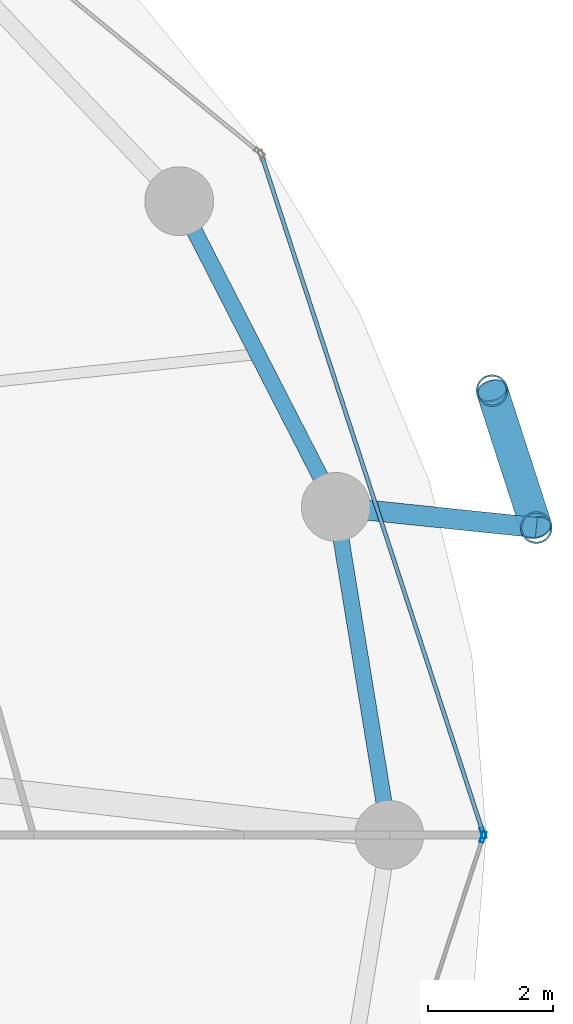
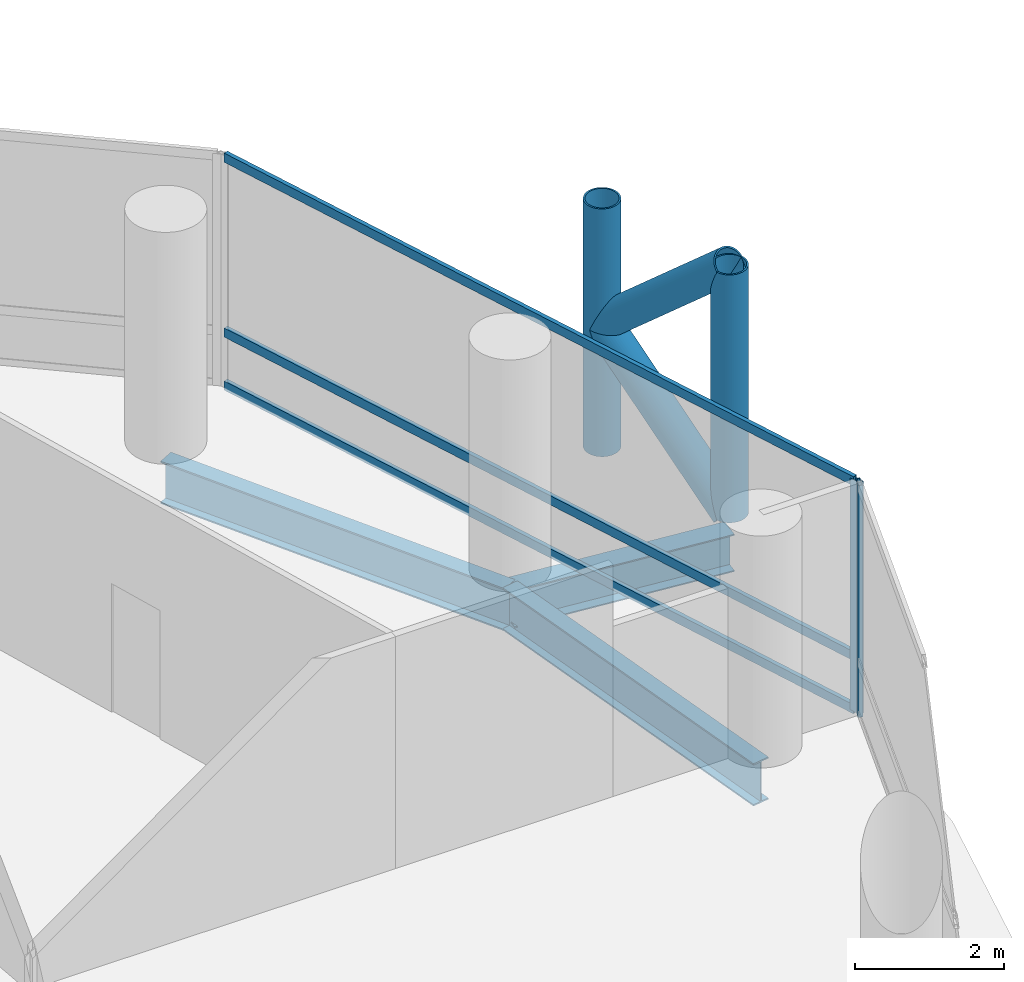
# One storey, part 12 of 25: 9 members, 3 beams, 2 elements without a shape of their own.
"""IFC4 building model written with IfcOpenShell, lengths in metres."""

from ifc_helpers import new_model, si_unit, direction, frame, origin, origin_2d, place, context, subcontext, project, spatial, hollow_rectangle, hollow_circle, i_section, extrude, material, layer, layer_set, material_profile, profile_set, type_object, element, aggregate, save


model = new_model("IFC4")

# Units and contexts
model_context = context("Model", 3, precision=1e-05, world=origin(), true_north=direction((0.0, 1.0)))
body_context = subcontext(model_context, "Body", "Model", "MODEL_VIEW")
ifc_project = project(units=[si_unit("LENGTHUNIT", "METRE"), si_unit("AREAUNIT", "SQUARE_METRE"), si_unit("VOLUMEUNIT", "CUBIC_METRE"), si_unit("PLANEANGLEUNIT", "RADIAN"), si_unit("MASSUNIT", "GRAM", prefix="KILO")], contexts=[model_context])

# Site, building, storey
site_placement = place(None, origin())
site = spatial("IfcSite", under=ifc_project, at=site_placement, CompositionType="ELEMENT")
building_placement = place(site_placement, origin())
building = spatial("IfcBuilding", under=site, at=building_placement, Name="Nuhasar Tower", CompositionType="ELEMENT")
storey_placement = place(building_placement, frame((0.0, 0.0, 45.300048828125)))
storey = spatial("IfcBuildingStorey", under=building, at=storey_placement, Name="L10", CompositionType="ELEMENT", Elevation=45.300048828125)

# Beams
ifc_material_1 = material(Name="Steel S355", Category="steel")
ifc_material_profile_1 = material_profile(ifc_material_1, i_section(OverallWidth=0.256103515625, OverallDepth=0.693115234375, WebThickness=0.014404296875, FlangeThickness=0.023681640625, at=origin_2d()), Name="W27X114")
ifc_profile_set_1 = profile_set([ifc_material_profile_1], Name="Steel S355")
beam_type_1 = type_object("IfcBeamType", Name="BM-RING-W27X114", PredefinedType="SPANDREL", material=ifc_profile_set_1)
beam_1_placement = place(storey_placement, frame((64.050048828125, 26.800048828125, -0.60595703125), z_axis=(-0.160826635486, 0.986982671235, 0.0), x_axis=(-0.986982671235, -0.160826635486, 0.0)))
element("IfcBeam", 1, at=beam_1_placement, inside=storey, type_object=beam_type_1, Name="L10 Perimeter Ring Spandrel 01", PredefinedType="SPANDREL", context=body_context, shape_type="SweptSolid", body=[
    extrude(i_section(OverallWidth=0.256103515625, OverallDepth=0.693115234375, WebThickness=0.014404296875, FlangeThickness=0.023681640625, at=origin_2d()), origin(), (0.0, 0.0, 1.0), 5.31005859375),
])
beam_2_placement = place(storey_placement, frame((63.196044921875, 32.041015625, -0.60595703125), z_axis=(-0.455930023905, 0.890015625314, 0.0), x_axis=(-0.890015625314, -0.455930023905, 0.0)))
element("IfcBeam", 2, at=beam_2_placement, inside=storey, type_object=beam_type_1, Name="L10 Perimeter Ring Spandrel 02", PredefinedType="SPANDREL", context=body_context, shape_type="SweptSolid", body=[
    extrude(i_section(OverallWidth=0.256103515625, OverallDepth=0.693115234375, WebThickness=0.014404296875, FlangeThickness=0.023681640625, at=origin_2d()), origin(), (0.0, 0.0, 1.0), 5.487548828125),
])
ifc_material_profile_2 = material_profile(ifc_material_1, i_section(OverallWidth=0.323974609375, OverallDepth=0.611083984375, WebThickness=0.0126953125, FlangeThickness=0.01904296875, at=origin_2d()), Name="W24X104")
ifc_profile_set_2 = profile_set([ifc_material_profile_2], Name="Steel S355")
beam_type_2 = type_object("IfcBeamType", Name="BM-TIE-W24X104", PredefinedType="BEAM", material=ifc_profile_set_2)
beam_3_placement = place(storey_placement, frame((63.196044921875, 32.041015625, -0.566162109375), z_axis=(0.994703825606, -0.102782777377, 0.0), x_axis=(0.102782777377, 0.994703825606, 0.0)))
element("IfcBeam", 3, at=beam_3_placement, inside=storey, type_object=beam_type_2, Name="L10 Exoskeleton Node Tie Beam 01", PredefinedType="BEAM", context=body_context, shape_type="SweptSolid", body=[
    extrude(i_section(OverallWidth=0.323974609375, OverallDepth=0.611083984375, WebThickness=0.0126953125, FlangeThickness=0.01904296875, at=origin_2d()), origin(), (0.0, 0.0, 1.0), 3.220947265625),
])

# Curtain wall, member
ifc_material_2 = material(Name="Aluminium 6063-T6", Category="aluminium")
ifc_layer = layer(ifc_material_2, 0.199951171875)
ifc_layer_set = layer_set([ifc_layer], Name="Aluminium 6063-T6")
curtain_wall_type = type_object("IfcCurtainWallType", Name="CW-Z1-OFF", PredefinedType="NOTDEFINED", material=ifc_layer_set)
curtain_wall_1_placement = place(storey_placement, origin())
curtain_wall_1 = element("IfcCurtainWall", 4, at=curtain_wall_1_placement, inside=storey, type_object=curtain_wall_type, Name="L10 Unitised Curtain Wall 01", PredefinedType="NOTDEFINED")
ifc_material_profile_3 = material_profile(ifc_material_2, hollow_rectangle(XDim=0.06494140625, YDim=0.179931640625, WallThickness=0.0048828125, at=origin_2d()), Name="CWM-2")
ifc_profile_set_3 = profile_set([ifc_material_profile_3], Name="Aluminium 6063-T6")
member_type_1 = type_object("IfcMemberType", Name="CW-MUL-S2", PredefinedType="MULLION", material=ifc_profile_set_3)
member_1_placement = place(storey_placement, frame((65.5498046875, 26.830810546875, 0.0), z_axis=(0.0, 0.0, 1.0), x_axis=(-0.950467534571, -0.310823849997, 0.0)))
member_1 = element("IfcMember", 5, at=member_1_placement, type_object=member_type_1, Name="CW-Z1 mullion 1", PredefinedType="MULLION", context=body_context, shape_type="SweptSolid", body=[
    extrude(hollow_rectangle(XDim=0.06494140625, YDim=0.179931640625, WallThickness=0.0048828125, at=origin_2d()), origin(), (0.0, 0.0, 1.0), 3.7900390625),
])

curtain_wall_2_placement = place(storey_placement, origin())
curtain_wall_2 = element("IfcCurtainWall", 6, at=curtain_wall_2_placement, inside=storey, type_object=curtain_wall_type, Name="L10 Unitised Curtain Wall 12", PredefinedType="NOTDEFINED")
member_2_placement = place(storey_placement, frame((65.5498046875, 26.76904296875, 0.0), z_axis=(0.0, 0.0, 1.0), x_axis=(-0.950467534571, 0.310823849997, 0.0)))
member_2 = element("IfcMember", 7, at=member_2_placement, type_object=member_type_1, Name="CW-Z1 mullion 2", PredefinedType="MULLION", context=body_context, shape_type="SweptSolid", body=[
    extrude(hollow_rectangle(XDim=0.06494140625, YDim=0.179931640625, WallThickness=0.0048828125, at=origin_2d()), origin(), (0.0, 0.0, 1.0), 3.7900390625),
])
aggregate(curtain_wall_2, [member_2])

# Member
ifc_material_profile_4 = material_profile(ifc_material_2, hollow_rectangle(XDim=0.06494140625, YDim=0.14990234375, WallThickness=0.00439453125, at=origin_2d()), Name="CWT-2")
ifc_profile_set_4 = profile_set([ifc_material_profile_4], Name="Aluminium 6063-T6")
member_type_2 = type_object("IfcMemberType", Name="CW-TRN-S2", PredefinedType="USERDEFINED", material=ifc_profile_set_4)
member_3_placement = place(storey_placement, frame((65.539794921875, 26.86181640625, 0.032470703125), z_axis=(-0.31082506089, 0.950467138581, 0.0), x_axis=(-0.950467138581, -0.31082506089, 0.0)))
member_3 = element("IfcMember", 8, at=member_3_placement, type_object=member_type_2, Name="CW-Z1 transom 1.1", ObjectType="TRANSOM", PredefinedType="USERDEFINED", context=body_context, shape_type="SweptSolid", body=[
    extrude(hollow_rectangle(XDim=0.06494140625, YDim=0.14990234375, WallThickness=0.00439453125, at=origin_2d()), origin(), (0.0, 0.0, 1.0), 11.31689453125),
])

member_4_placement = place(storey_placement, frame((65.539794921875, 26.86181640625, 0.89990234375), z_axis=(-0.31082506089, 0.950467138581, 0.0), x_axis=(-0.950467138581, -0.31082506089, 0.0)))
member_4 = element("IfcMember", 9, at=member_4_placement, type_object=member_type_2, Name="CW-Z1 transom 1.2", ObjectType="TRANSOM", PredefinedType="USERDEFINED", context=body_context, shape_type="SweptSolid", body=[
    extrude(hollow_rectangle(XDim=0.06494140625, YDim=0.14990234375, WallThickness=0.00439453125, at=origin_2d()), origin(), (0.0, 0.0, 1.0), 11.31689453125),
])

member_5_placement = place(storey_placement, frame((65.539794921875, 26.86181640625, 3.757568359375), z_axis=(-0.31082506089, 0.950467138581, 0.0), x_axis=(-0.950467138581, -0.31082506089, 0.0)))
member_5 = element("IfcMember", 10, at=member_5_placement, type_object=member_type_2, Name="CW-Z1 transom 1.3", ObjectType="TRANSOM", PredefinedType="USERDEFINED", context=body_context, shape_type="SweptSolid", body=[
    extrude(hollow_rectangle(XDim=0.06494140625, YDim=0.14990234375, WallThickness=0.00439453125, at=origin_2d()), origin(), (0.0, 0.0, 1.0), 11.31689453125),
])

aggregate(curtain_wall_1, [member_1, member_3, member_4, member_5])

# Members
ifc_material_3 = material(Name="Steel S460", Category="steel")
ifc_material_profile_5 = material_profile(ifc_material_3, hollow_circle(Radius=0.25390625, WallThickness=0.025390625, at=origin_2d()), Name="HSS508X25.4")
ifc_profile_set_5 = profile_set([ifc_material_profile_5], Name="Steel S460")
member_type_3 = type_object("IfcMemberType", Name="EXO-BRONZE-508", PredefinedType="BRACE", material=ifc_profile_set_5)
for number, where, z_axis, x_axis, name in (
    (11, (66.39990234375, 31.7099609375, 0.0), (0.0, 0.0, 1.0), (1.0, 0.0, 0.0), "L10 Exoskeleton Chord Column EC-01A"),
    (12, (65.69189453125, 33.89892578125, 0.0), (0.0, 0.0, 1.0), (1.0, 0.0, 0.0), "L10 Exoskeleton Chord Column EC-01B"),
):
    element("IfcMember", number, at=place(storey_placement, frame(where, z_axis=z_axis, x_axis=x_axis)), inside=storey, type_object=member_type_3, Name=name, PredefinedType="BRACE", context=body_context, shape_type="SweptSolid", body=[
        extrude(hollow_circle(Radius=0.25390625, WallThickness=0.025390625, at=origin_2d()), origin(), (0.0, 0.0, 1.0), 4.050048828125),
    ])
member_6_placement = place(storey_placement, frame((66.39990234375, 31.7099609375, 0.0), z_axis=(-0.231011836313, 0.714224870475, 0.660693851854), x_axis=(-0.951468282519, -0.307746823478, 0.0)))
element("IfcMember", 13, at=member_6_placement, inside=storey, type_object=member_type_3, Name="L10 Bronze Diagrid Brace W1-01", PredefinedType="BRACE", context=body_context, shape_type="SweptSolid", body=[
    extrude(hollow_circle(Radius=0.25390625, WallThickness=0.025390625, at=origin_2d()), origin(), (0.0, 0.0, 1.0), 3.064697265625),
])
member_7_placement = place(storey_placement, frame((65.69189453125, 33.89892578125, 2.02490234375), z_axis=(0.230999678299, -0.714187281251, 0.660738734997), x_axis=(0.951468282519, 0.307746823478, 0.0)))
element("IfcMember", 14, at=member_7_placement, inside=storey, type_object=member_type_3, Name="L10 Bronze Diagrid Brace W2-01", PredefinedType="BRACE", context=body_context, shape_type="SweptSolid", body=[
    extrude(hollow_circle(Radius=0.25390625, WallThickness=0.025390625, at=origin_2d()), origin(), (0.0, 0.0, 1.0), 3.06494140625),
])

save(model, "model.ifc")
